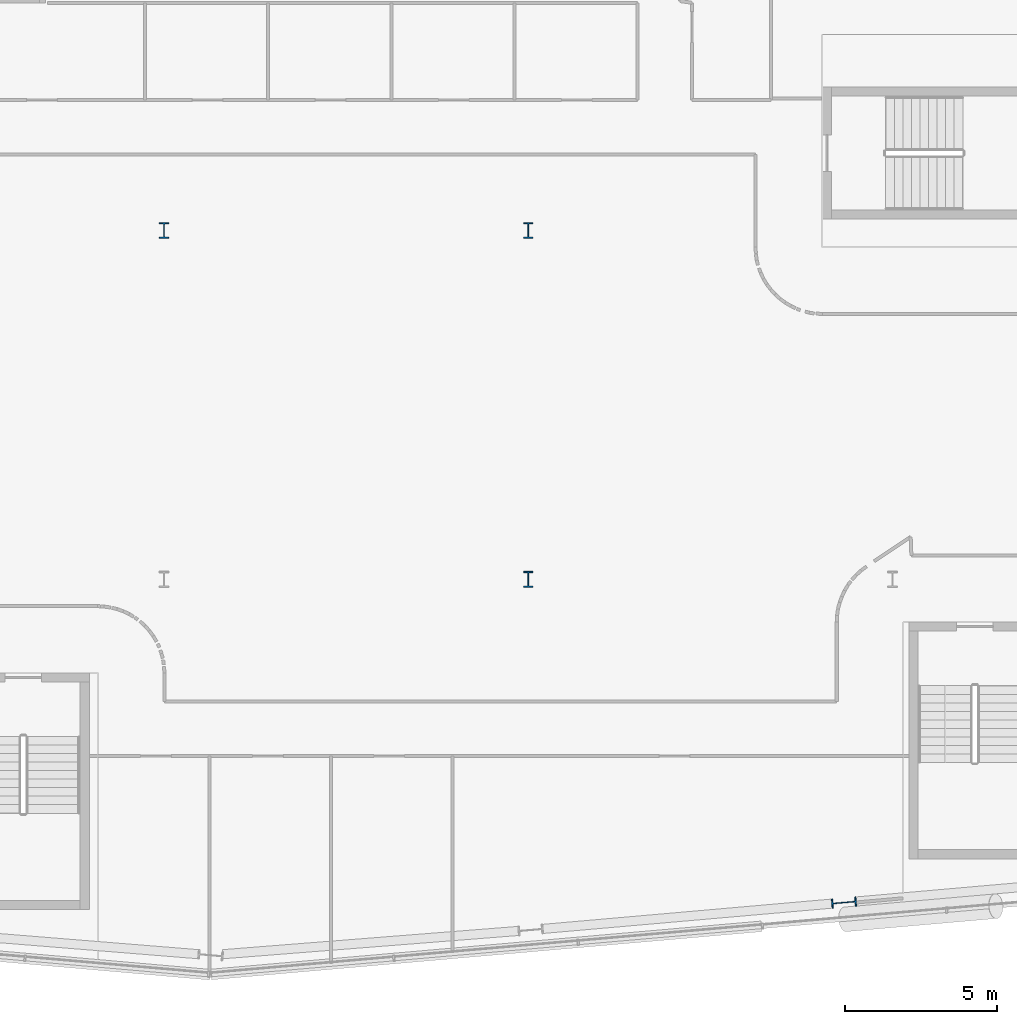
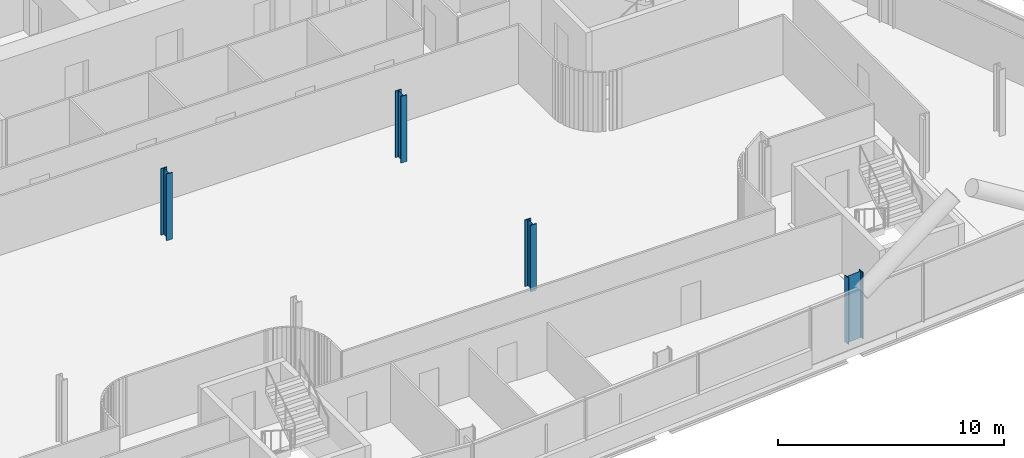
# One storey, part 2 of 30: 4 columns.
"""IFC4 building model written with IfcOpenShell, lengths in metres."""

from ifc_helpers import new_model, si_unit, direction, frame, origin, origin_2d, place, context, subcontext, project, spatial, i_section, extrude, material, material_profile, profile_set, type_object, element, save


model = new_model("IFC4")

# Units and contexts
model_context = context("Model", 3, precision=1e-05, world=origin(), true_north=direction((0.0, 1.0)))
body_context = subcontext(model_context, "Body", "Model", "MODEL_VIEW")
ifc_project = project(units=[si_unit("LENGTHUNIT", "METRE"), si_unit("AREAUNIT", "SQUARE_METRE"), si_unit("VOLUMEUNIT", "CUBIC_METRE"), si_unit("PLANEANGLEUNIT", "RADIAN"), si_unit("MASSUNIT", "GRAM", prefix="KILO")], contexts=[model_context])

# Site, building, storey
site_placement = place(None, origin())
site = spatial("IfcSite", under=ifc_project, at=site_placement, CompositionType="ELEMENT")
building_placement = place(site_placement, origin())
building = spatial("IfcBuilding", under=site, at=building_placement, Name="Wharfspan Tower", CompositionType="ELEMENT")
storey_placement = place(building_placement, frame((0.0, 0.0, 100.300049)))
storey = spatial("IfcBuildingStorey", under=building, at=storey_placement, Name="L22", CompositionType="ELEMENT", Elevation=100.300049)

# Columns
ifc_material = material(Name="Steel S355J2", Category="steel")
ifc_material_profile_1 = material_profile(ifc_material, i_section(OverallWidth=0.305908, OverallDepth=0.523926, WebThickness=0.020996, FlangeThickness=0.040039, FilletRadius=0.0271, at=origin_2d()))
ifc_profile_set_1 = profile_set([ifc_material_profile_1], Name="Steel S355J2")
column_type_1 = type_object("IfcColumnType", Name="Column HEM 500", PredefinedType="COLUMN", material=ifc_profile_set_1)
for number, where, z_axis, x_axis, name in (
    (1, (60.0, 11.5, 0.0), (0.0, 0.0, 1.0), (1.0, 0.0, 0.0), "Interior column I.1.5 L22"),
    (2, (48.0, 23.0, 0.0), (0.0, 0.0, 1.0), (1.0, 0.0, 0.0), "Interior column I.2.3 L22"),
    (3, (60.0, 23.0, 0.0), (0.0, 0.0, 1.0), (1.0, 0.0, 0.0), "Interior column I.2.4 L22"),
):
    element("IfcColumn", number, at=place(storey_placement, frame(where, z_axis=z_axis, x_axis=x_axis)), inside=storey, type_object=column_type_1, Name=name, PredefinedType="COLUMN", context=body_context, shape_type="SweptSolid", body=[
        extrude(i_section(OverallWidth=0.305908, OverallDepth=0.523926, WebThickness=0.020996, FlangeThickness=0.040039, FilletRadius=0.0271, at=origin_2d()), origin(), (0.0, 0.0, 1.0), 3.599854),
    ])
ifc_material_profile_2 = material_profile(ifc_material, i_section(OverallWidth=0.302979, OverallDepth=0.813965, WebThickness=0.020996, FlangeThickness=0.040039, FilletRadius=0.030029, at=origin_2d()))
ifc_profile_set_2 = profile_set([ifc_material_profile_2], Name="Steel S355J2")
column_type_2 = type_object("IfcColumnType", Name="Column HEM 800", PredefinedType="COLUMN", material=ifc_profile_set_2)
column_placement = place(storey_placement, frame((70.404053, 0.852783, 0.0), z_axis=(0.0, 0.0, 1.0), x_axis=(0.087156, -0.996198, 0.0)))
element("IfcColumn", 4, at=column_placement, inside=storey, type_object=column_type_2, Name="Perimeter column PS2.2 L22", PredefinedType="COLUMN", context=body_context, shape_type="SweptSolid", body=[
    extrude(i_section(OverallWidth=0.302979, OverallDepth=0.813965, WebThickness=0.020996, FlangeThickness=0.040039, FilletRadius=0.030029, at=origin_2d()), origin(), (0.0, 0.0, 1.0), 3.599854),
])

save(model, "model.ifc")
